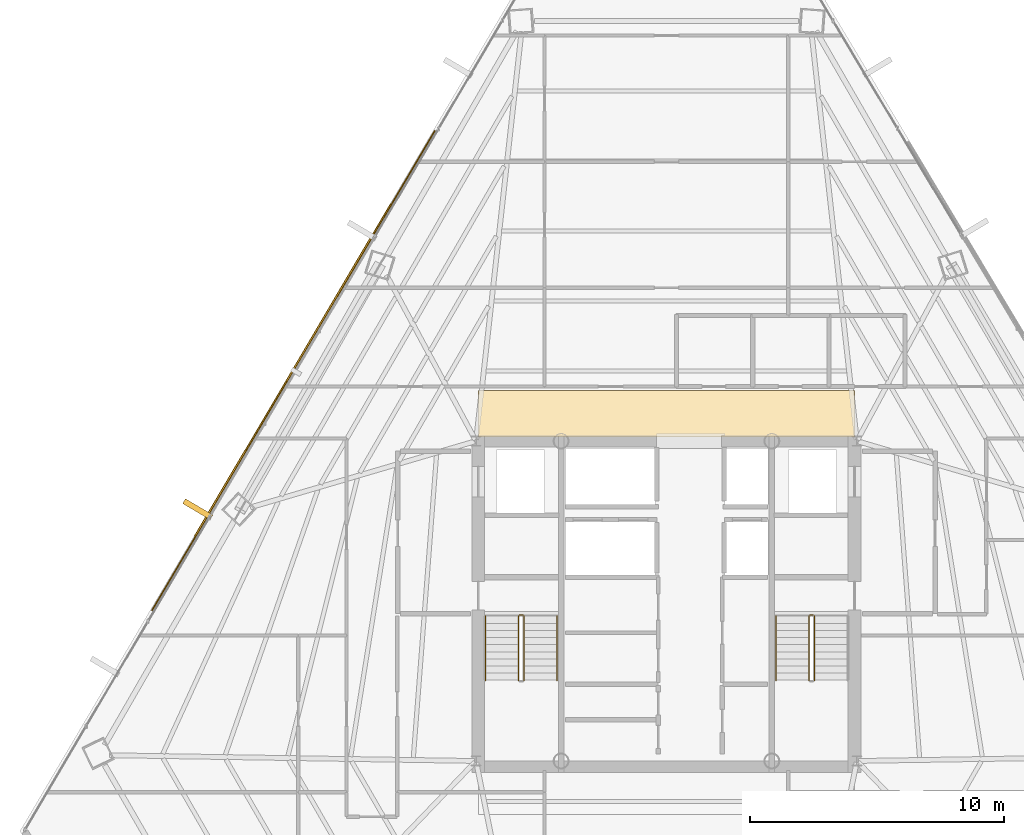
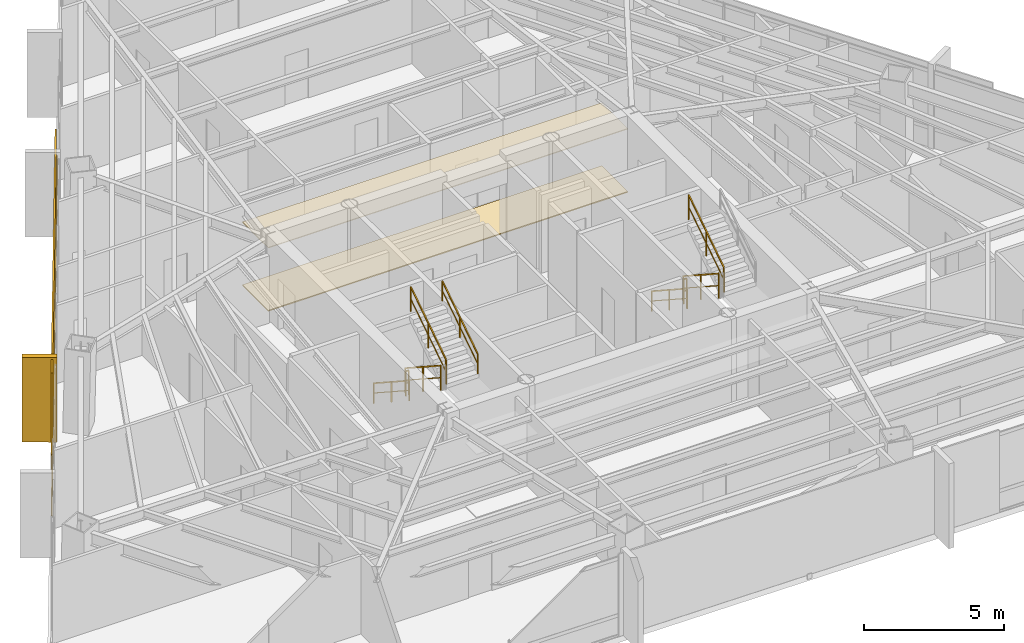
# One storey, part 39 of 40: 9 railings, 4 coverings, 1 shading device.
"""IFC4 building model written with IfcOpenShell, lengths in metres."""

from ifc_helpers import new_model, si_unit, direction, frame, origin, origin_2d, place, context, subcontext, project, spatial, polyline, rectangle, outline, extrude, source, transform, mapped, material, layer, layer_set, type_object, type_shapes, element, save


model = new_model("IFC4")

# Units and contexts
model_context = context("Model", 3, precision=1e-05, world=origin(), true_north=direction((0.0, 1.0)))
body_context = subcontext(model_context, "Body", "Model", "MODEL_VIEW")
ifc_project = project(units=[si_unit("LENGTHUNIT", "METRE"), si_unit("AREAUNIT", "SQUARE_METRE"), si_unit("VOLUMEUNIT", "CUBIC_METRE"), si_unit("PLANEANGLEUNIT", "RADIAN"), si_unit("MASSUNIT", "GRAM", prefix="KILO")], contexts=[model_context])

# Site, building, storey
site_placement = place(None, origin())
site = spatial("IfcSite", under=ifc_project, at=site_placement, CompositionType="ELEMENT")
building_placement = place(site_placement, origin())
building = spatial("IfcBuilding", under=site, at=building_placement, Name="Caelisora Broadcast Tower", CompositionType="ELEMENT")
storey_placement = place(building_placement, frame((0.0, 0.0, 176.75)))
storey = spatial("IfcBuildingStorey", under=building, at=storey_placement, Name="L46", CompositionType="ELEMENT", Elevation=176.75)

# Coverings
ifc_material_1 = material(Name="Perforated Mineral-Fibre Acoustic Ceiling Tile", Category="gypsum")
ifc_layer_1 = layer(ifc_material_1, 0.034912109375, Name="Perforated Mineral-Fibre Acoustic Ceiling Tile")
ifc_layer_set_1 = layer_set([ifc_layer_1], Name="Perforated Mineral-Fibre Acoustic Ceiling Tile")
covering_type_1 = type_object("IfcCoveringType", Name="CE-1", PredefinedType="CEILING", material=ifc_layer_set_1)
covering_1_placement = place(storey_placement, frame((0.0, 0.0, 2.75)))
element("IfcCovering", 1, at=covering_1_placement, inside=storey, type_object=covering_type_1, Name="L46 acoustic corridor ceiling CE-1 (N)", PredefinedType="CEILING", context=body_context, shape_type="SweptSolid", body=[
    extrude(outline(polyline([(30.60009765625, 30.14990234375), (45.39990234375, 30.14990234375), (45.39990234375, 32.0), (30.60009765625, 32.0), (30.60009765625, 30.14990234375)])), origin(), (0.0, 0.0, 1.0), 0.034912109375),
])
ifc_material_2 = material(Name="Anti-Static Broadcast Raised Access Floor Panel", Category="steel")
ifc_layer_2 = layer(ifc_material_2, 0.044921875, Name="Anti-Static Broadcast Raised Access Floor Panel")
ifc_layer_set_2 = layer_set([ifc_layer_2], Name="Anti-Static Broadcast Raised Access Floor Panel")
covering_type_2 = type_object("IfcCoveringType", Name="FL-1", PredefinedType="FLOORING", material=ifc_layer_set_2)
covering_2_placement = place(storey_placement, origin())
element("IfcCovering", 2, at=covering_2_placement, inside=storey, type_object=covering_type_2, Name="L46 broadcast raised access floor FL-1 (N)", PredefinedType="FLOORING", context=body_context, shape_type="SweptSolid", body=[
    extrude(outline(polyline([(30.60009765625, 30.14990234375), (45.39990234375, 30.14990234375), (45.39990234375, 32.0), (30.60009765625, 32.0), (30.60009765625, 30.14990234375)])), origin(), (0.0, 0.0, 1.0), 0.044921875),
])

# Railings
ifc_material_3 = material(Name="Galvanised Steel Safety Guardrail", Category="steel")
ifc_layer_3 = layer(ifc_material_3, 0.048095703125, Name="Galvanised Steel Safety Guardrail")
ifc_layer_set_3 = layer_set([ifc_layer_3], Name="Galvanised Steel Safety Guardrail")
railing_type_1 = type_object("IfcRailingType", Name="GR-1", PredefinedType="GUARDRAIL", material=ifc_layer_set_3)
railing_1_placement = place(storey_placement, frame((32.169921875, 23.10009765625, 0.1826171875)))
element("IfcRailing", 3, at=railing_1_placement, inside=storey, type_object=railing_type_1, Name="L46 ST-1 stair guard 1", PredefinedType="GUARDRAIL", context=body_context, shape_type="SweptSolid", body=[
    extrude(rectangle(XDim=0.048095703125, YDim=0.048095703125, at=origin_2d()), frame((0.0, 0.0, 1.076171875), z_axis=(0.0, -0.837786554691, 0.545997883492), x_axis=(1.0, 0.0, 0.0)), (0.0, 0.0, 1.0), 3.008056640625),
    extrude(rectangle(XDim=0.03125, YDim=0.03125, at=origin_2d()), frame((0.0, 0.0, 0.550048828125), z_axis=(0.0, -0.837786554691, 0.545997883492), x_axis=(1.0, 0.0, 0.0)), (0.0, 0.0, 1.0), 3.008056640625),
    extrude(rectangle(XDim=0.0419921875, YDim=0.0419921875, at=origin_2d()), origin(), (0.0, 0.0, 1.0), 1.052001953125),
    extrude(rectangle(XDim=0.0419921875, YDim=0.0419921875, at=origin_2d()), frame((0.0, -1.260009765625, 0.8212890625)), (0.0, 0.0, 1.0), 1.052001953125),
    extrude(rectangle(XDim=0.0419921875, YDim=0.0419921875, at=origin_2d()), frame((0.0, -2.52001953125, 1.642333984375)), (0.0, 0.0, 1.0), 1.052001953125),
])
railing_2_placement = place(storey_placement, frame((32.389892578125, 20.580078125, 2.007568359375)))
element("IfcRailing", 4, at=railing_2_placement, inside=storey, type_object=railing_type_1, Name="L46 ST-1 stair guard 3", PredefinedType="GUARDRAIL", context=body_context, shape_type="SweptSolid", body=[
    extrude(rectangle(XDim=0.048095703125, YDim=0.048095703125, at=origin_2d()), frame((0.0, 0.0, 1.076171875), z_axis=(0.0, 0.837786554691, 0.545997883492), x_axis=(-1.0, 0.0, 0.0)), (0.0, 0.0, 1.0), 3.008056640625),
    extrude(rectangle(XDim=0.03125, YDim=0.03125, at=origin_2d()), frame((0.0, 0.0, 0.550048828125), z_axis=(0.0, 0.837786554691, 0.545997883492), x_axis=(-1.0, 0.0, 0.0)), (0.0, 0.0, 1.0), 3.008056640625),
    extrude(rectangle(XDim=0.0419921875, YDim=0.0419921875, at=origin_2d()), origin(), (0.0, 0.0, 1.0), 1.052001953125),
    extrude(rectangle(XDim=0.0419921875, YDim=0.0419921875, at=origin_2d()), frame((0.0, 1.260009765625, 0.8212890625)), (0.0, 0.0, 1.0), 1.052001953125),
    extrude(rectangle(XDim=0.0419921875, YDim=0.0419921875, at=origin_2d()), frame((0.0, 2.52001953125, 1.642333984375)), (0.0, 0.0, 1.0), 1.052001953125),
])
railing_3_placement = place(storey_placement, frame((32.219970703125, 23.14990234375, 0.0)))
element("IfcRailing", 5, at=railing_3_placement, inside=storey, type_object=railing_type_1, Name="L46 ST-1 stair guard 4", PredefinedType="GUARDRAIL", context=body_context, shape_type="SweptSolid", body=[
    extrude(rectangle(XDim=0.048095703125, YDim=0.048095703125, at=origin_2d()), frame((0.0, 0.0, 1.076171875), z_axis=(1.0, 0.0, 0.0), x_axis=(0.0, 1.0, 0.0)), (0.0, 0.0, 1.0), 0.1201171875),
    extrude(rectangle(XDim=0.03125, YDim=0.03125, at=origin_2d()), frame((0.0, 0.0, 0.550048828125), z_axis=(1.0, 0.0, 0.0), x_axis=(0.0, 1.0, 0.0)), (0.0, 0.0, 1.0), 0.1201171875),
    extrude(rectangle(XDim=0.0419921875, YDim=0.0419921875, at=origin_2d()), origin(), (0.0, 0.0, 1.0), 1.052001953125),
    extrude(rectangle(XDim=0.0419921875, YDim=0.0419921875, at=origin_2d()), frame((0.1201171875, 0.0, 0.0)), (0.0, 0.0, 1.0), 1.052001953125),
])
railing_4_placement = place(storey_placement, frame((43.610107421875, 23.10009765625, 0.1826171875)))
element("IfcRailing", 6, at=railing_4_placement, inside=storey, type_object=railing_type_1, Name="L46 ST-2 stair guard 1", PredefinedType="GUARDRAIL", context=body_context, shape_type="SweptSolid", body=[
    extrude(rectangle(XDim=0.048095703125, YDim=0.048095703125, at=origin_2d()), frame((0.0, 0.0, 1.076171875), z_axis=(0.0, -0.837786554691, 0.545997883492), x_axis=(1.0, 0.0, 0.0)), (0.0, 0.0, 1.0), 3.008056640625),
    extrude(rectangle(XDim=0.03125, YDim=0.03125, at=origin_2d()), frame((0.0, 0.0, 0.550048828125), z_axis=(0.0, -0.837786554691, 0.545997883492), x_axis=(1.0, 0.0, 0.0)), (0.0, 0.0, 1.0), 3.008056640625),
    extrude(rectangle(XDim=0.0419921875, YDim=0.0419921875, at=origin_2d()), origin(), (0.0, 0.0, 1.0), 1.052001953125),
    extrude(rectangle(XDim=0.0419921875, YDim=0.0419921875, at=origin_2d()), frame((0.0, -1.260009765625, 0.8212890625)), (0.0, 0.0, 1.0), 1.052001953125),
    extrude(rectangle(XDim=0.0419921875, YDim=0.0419921875, at=origin_2d()), frame((0.0, -2.52001953125, 1.642333984375)), (0.0, 0.0, 1.0), 1.052001953125),
])
railing_5_placement = place(storey_placement, frame((43.830078125, 20.580078125, 2.007568359375)))
element("IfcRailing", 7, at=railing_5_placement, inside=storey, type_object=railing_type_1, Name="L46 ST-2 stair guard 3", PredefinedType="GUARDRAIL", context=body_context, shape_type="SweptSolid", body=[
    extrude(rectangle(XDim=0.048095703125, YDim=0.048095703125, at=origin_2d()), frame((0.0, 0.0, 1.076171875), z_axis=(0.0, 0.837786554691, 0.545997883492), x_axis=(-1.0, 0.0, 0.0)), (0.0, 0.0, 1.0), 3.008056640625),
    extrude(rectangle(XDim=0.03125, YDim=0.03125, at=origin_2d()), frame((0.0, 0.0, 0.550048828125), z_axis=(0.0, 0.837786554691, 0.545997883492), x_axis=(-1.0, 0.0, 0.0)), (0.0, 0.0, 1.0), 3.008056640625),
    extrude(rectangle(XDim=0.0419921875, YDim=0.0419921875, at=origin_2d()), origin(), (0.0, 0.0, 1.0), 1.052001953125),
    extrude(rectangle(XDim=0.0419921875, YDim=0.0419921875, at=origin_2d()), frame((0.0, 1.260009765625, 0.8212890625)), (0.0, 0.0, 1.0), 1.052001953125),
    extrude(rectangle(XDim=0.0419921875, YDim=0.0419921875, at=origin_2d()), frame((0.0, 2.52001953125, 1.642333984375)), (0.0, 0.0, 1.0), 1.052001953125),
])
railing_6_placement = place(storey_placement, frame((43.659912109375, 23.14990234375, 0.0)))
element("IfcRailing", 8, at=railing_6_placement, inside=storey, type_object=railing_type_1, Name="L46 ST-2 stair guard 4", PredefinedType="GUARDRAIL", context=body_context, shape_type="SweptSolid", body=[
    extrude(rectangle(XDim=0.048095703125, YDim=0.048095703125, at=origin_2d()), frame((0.0, 0.0, 1.076171875), z_axis=(1.0, 0.0, 0.0), x_axis=(0.0, 1.0, 0.0)), (0.0, 0.0, 1.0), 0.1201171875),
    extrude(rectangle(XDim=0.03125, YDim=0.03125, at=origin_2d()), frame((0.0, 0.0, 0.550048828125), z_axis=(1.0, 0.0, 0.0), x_axis=(0.0, 1.0, 0.0)), (0.0, 0.0, 1.0), 0.1201171875),
    extrude(rectangle(XDim=0.0419921875, YDim=0.0419921875, at=origin_2d()), origin(), (0.0, 0.0, 1.0), 1.052001953125),
    extrude(rectangle(XDim=0.0419921875, YDim=0.0419921875, at=origin_2d()), frame((0.1201171875, 0.0, 0.0)), (0.0, 0.0, 1.0), 1.052001953125),
])
ifc_material_4 = material(Name="Stainless Steel Grade 316 Tubular Handrail", Category="steel")
ifc_layer_4 = layer(ifc_material_4, 0.048095703125, Name="Stainless Steel Grade 316 Tubular Handrail")
ifc_layer_set_4 = layer_set([ifc_layer_4], Name="Stainless Steel Grade 316 Tubular Handrail")
railing_type_2 = type_object("IfcRailingType", Name="HR-1", PredefinedType="HANDRAIL", material=ifc_layer_set_4)
railing_7_placement = place(storey_placement, frame((30.8701171875, 23.10009765625, 0.1826171875)))
element("IfcRailing", 9, at=railing_7_placement, inside=storey, type_object=railing_type_2, Name="L46 ST-1 stair handrail 1", PredefinedType="HANDRAIL", context=body_context, shape_type="SweptSolid", body=[
    extrude(rectangle(XDim=0.048095703125, YDim=0.048095703125, at=origin_2d()), frame((0.0, 0.0, 0.8759765625), z_axis=(0.0, -0.837786554691, 0.545997883492), x_axis=(1.0, 0.0, 0.0)), (0.0, 0.0, 1.0), 3.008056640625),
    extrude(rectangle(XDim=0.03125, YDim=0.03125, at=origin_2d()), frame((0.0, 0.0, 0.449951171875), z_axis=(0.0, -0.837786554691, 0.545997883492), x_axis=(1.0, 0.0, 0.0)), (0.0, 0.0, 1.0), 3.008056640625),
    extrude(rectangle(XDim=0.0419921875, YDim=0.0419921875, at=origin_2d()), origin(), (0.0, 0.0, 1.0), 0.851806640625),
    extrude(rectangle(XDim=0.0419921875, YDim=0.0419921875, at=origin_2d()), frame((0.0, -1.260009765625, 0.8212890625)), (0.0, 0.0, 1.0), 0.851806640625),
    extrude(rectangle(XDim=0.0419921875, YDim=0.0419921875, at=origin_2d()), frame((0.0, -2.52001953125, 1.642333984375)), (0.0, 0.0, 1.0), 0.851806640625),
])
railing_8_placement = place(storey_placement, frame((33.68994140625, 20.580078125, 2.007568359375)))
element("IfcRailing", 10, at=railing_8_placement, inside=storey, type_object=railing_type_2, Name="L46 ST-1 stair handrail 2", PredefinedType="HANDRAIL", context=body_context, shape_type="SweptSolid", body=[
    extrude(rectangle(XDim=0.048095703125, YDim=0.048095703125, at=origin_2d()), frame((0.0, 0.0, 0.8759765625), z_axis=(0.0, 0.837786554691, 0.545997883492), x_axis=(-1.0, 0.0, 0.0)), (0.0, 0.0, 1.0), 3.008056640625),
    extrude(rectangle(XDim=0.03125, YDim=0.03125, at=origin_2d()), frame((0.0, 0.0, 0.449951171875), z_axis=(0.0, 0.837786554691, 0.545997883492), x_axis=(-1.0, 0.0, 0.0)), (0.0, 0.0, 1.0), 3.008056640625),
    extrude(rectangle(XDim=0.0419921875, YDim=0.0419921875, at=origin_2d()), origin(), (0.0, 0.0, 1.0), 0.851806640625),
    extrude(rectangle(XDim=0.0419921875, YDim=0.0419921875, at=origin_2d()), frame((0.0, 1.260009765625, 0.8212890625)), (0.0, 0.0, 1.0), 0.851806640625),
    extrude(rectangle(XDim=0.0419921875, YDim=0.0419921875, at=origin_2d()), frame((0.0, 2.52001953125, 1.642333984375)), (0.0, 0.0, 1.0), 0.851806640625),
])
railing_9_placement = place(storey_placement, frame((42.31005859375, 23.10009765625, 0.1826171875)))
element("IfcRailing", 11, at=railing_9_placement, inside=storey, type_object=railing_type_2, Name="L46 ST-2 stair handrail 1", PredefinedType="HANDRAIL", context=body_context, shape_type="SweptSolid", body=[
    extrude(rectangle(XDim=0.048095703125, YDim=0.048095703125, at=origin_2d()), frame((0.0, 0.0, 0.8759765625), z_axis=(0.0, -0.837786554691, 0.545997883492), x_axis=(1.0, 0.0, 0.0)), (0.0, 0.0, 1.0), 3.008056640625),
    extrude(rectangle(XDim=0.03125, YDim=0.03125, at=origin_2d()), frame((0.0, 0.0, 0.449951171875), z_axis=(0.0, -0.837786554691, 0.545997883492), x_axis=(1.0, 0.0, 0.0)), (0.0, 0.0, 1.0), 3.008056640625),
    extrude(rectangle(XDim=0.0419921875, YDim=0.0419921875, at=origin_2d()), origin(), (0.0, 0.0, 1.0), 0.851806640625),
    extrude(rectangle(XDim=0.0419921875, YDim=0.0419921875, at=origin_2d()), frame((0.0, -1.260009765625, 0.8212890625)), (0.0, 0.0, 1.0), 0.851806640625),
    extrude(rectangle(XDim=0.0419921875, YDim=0.0419921875, at=origin_2d()), frame((0.0, -2.52001953125, 1.642333984375)), (0.0, 0.0, 1.0), 0.851806640625),
])

# Covering
ifc_material_5 = material(Name="Kiln-Fired Terracotta Spandrel Rainscreen Cladding", Category="ceramic")
ifc_layer_5 = layer(ifc_material_5, 0.044921875, Name="Kiln-Fired Terracotta Spandrel Rainscreen Cladding")
ifc_layer_set_5 = layer_set([ifc_layer_5], Name="Kiln-Fired Terracotta Spandrel Rainscreen Cladding")
covering_type_3 = type_object("IfcCoveringType", Name="CL-1", PredefinedType="CLADDING", material=ifc_layer_set_5)
shared_shape_1 = source(origin(), body_context, "Body", "SweptSolid", [
    extrude(rectangle(XDim=0.219970703125, YDim=1.25, at=origin_2d()), origin(), (0.0, 0.0, 1.0), 3.68994140625),
])
covering_3_placement = place(storey_placement, frame((19.539794921875, 27.315185546875, -0.02001953125), z_axis=(0.0, 0.0, 1.0), x_axis=(0.508139769859, 0.861274621876, 0.0)))
element("IfcCovering", 12, at=covering_3_placement, inside=storey, type_object=covering_type_3, Name="L46 vertical solar fin cladding #3-2", PredefinedType="CLADDING", context=body_context, shape_type="MappedRepresentation", body=[
    mapped(shared_shape_1, transform((0.0, 0.0, 0.0), scale=1.0)),
])

# Shading device
ifc_material_6 = material(Name="Perforated Glazed Terracotta Baguette Solar Screen", Category="ceramic")
ifc_layer_6 = layer(ifc_material_6, 0.06494140625, Name="Perforated Glazed Terracotta Baguette Solar Screen")
ifc_layer_set_6 = layer_set([ifc_layer_6], Name="Perforated Glazed Terracotta Baguette Solar Screen")
shading_device_type = type_object("IfcShadingDeviceType", Name="SS-1", PredefinedType="USERDEFINED", material=ifc_layer_set_6)
shared_shape_2 = source(origin(), body_context, "Body", "SweptSolid", [
    extrude(rectangle(XDim=15.18994140625, YDim=0.06494140625, at=origin_2d()), origin(), (0.0, 0.0, 1.0), 3.590087890625),
])
type_shapes(shading_device_type, [shared_shape_2])
shading_device_placement = place(storey_placement, frame((23.29443359375, 32.793701171875, 0.0), z_axis=(0.0, 0.0, 1.0), x_axis=(-0.507989441341, -0.861363295878, 0.0)))
element("IfcShadingDevice", 13, at=shading_device_placement, inside=storey, type_object=shading_device_type, Name="L46 perforated terracotta solar screen #1", ObjectType="SOLAR SCREEN", PredefinedType="USERDEFINED", context=body_context, shape_type="MappedRepresentation", body=[
    mapped(shared_shape_2, transform((0.0, 0.0, 0.0), scale=1.0)),
])

# Covering
shared_shape_3 = source(origin(), body_context, "Body", "SweptSolid", [
    extrude(rectangle(XDim=21.94189453125, YDim=0.044921875, at=origin_2d()), origin(), (0.0, 0.0, 1.0), 0.340087890625),
])
type_shapes(covering_type_3, [shared_shape_1, shared_shape_3])
covering_4_placement = place(storey_placement, frame((23.311767578125, 32.783447265625, -0.27001953125), z_axis=(0.0, 0.0, 1.0), x_axis=(-0.507989441341, -0.861363295878, 0.0)))
element("IfcCovering", 14, at=covering_4_placement, inside=storey, type_object=covering_type_3, Name="L46 terracotta spandrel rainscreen #1", PredefinedType="CLADDING", context=body_context, shape_type="MappedRepresentation", body=[
    mapped(shared_shape_3, transform((0.0, 0.0, 0.0), scale=1.0)),
])

save(model, "model.ifc")
